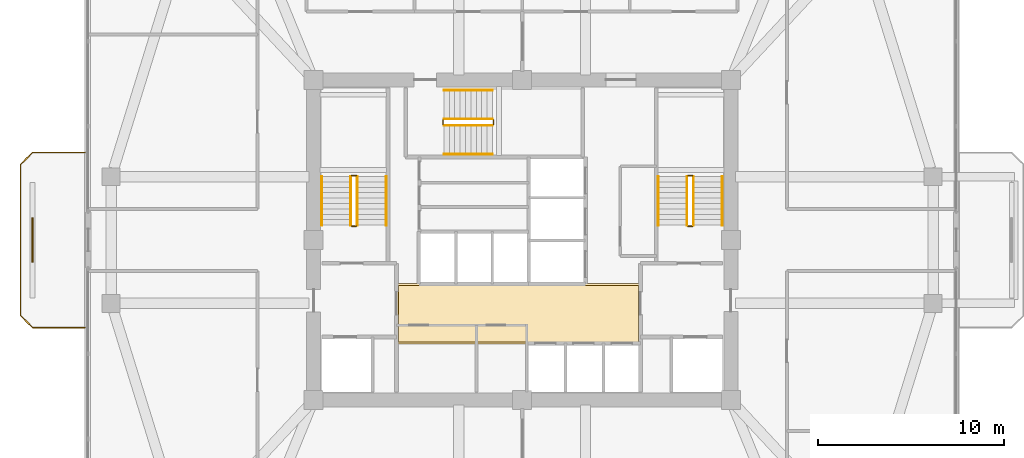
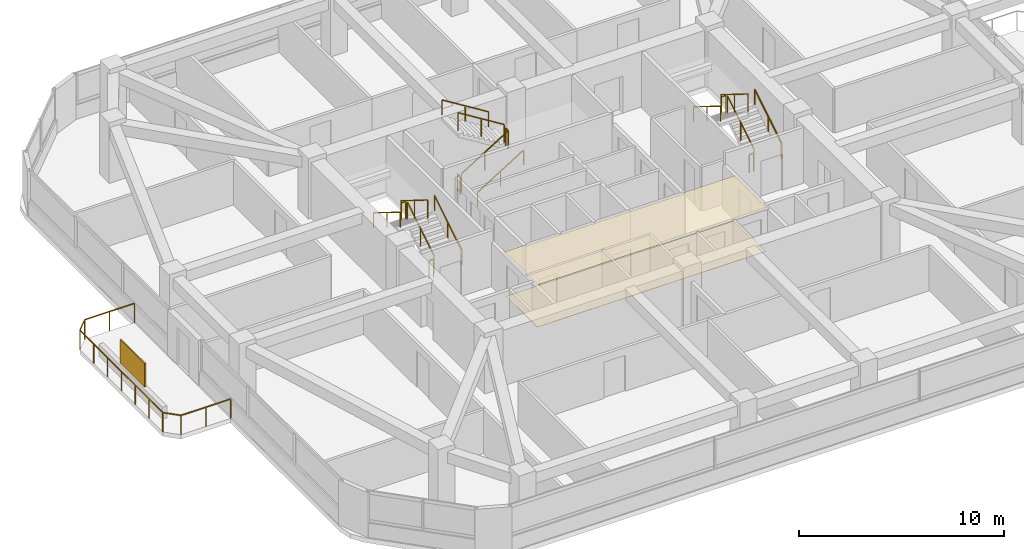
# One storey, part 11 of 12: 19 railings, 2 coverings, 1 shading device.
"""IFC4 building model written with IfcOpenShell, lengths in metres."""

from ifc_helpers import new_model, si_unit, derived_unit, direction, frame, origin, origin_2d, place, context, subcontext, project, spatial, polyline, rectangle, outline, extrude, material, layer, layer_set, type_object, element, save


model = new_model("IFC4")

# Units and contexts
model_context = context("Model", 3, precision=1e-05, world=origin(), true_north=direction((0.0, 1.0)))
body_context = subcontext(model_context, "Body", "Model", "MODEL_VIEW")
ifc_project = project(units=[si_unit("LENGTHUNIT", "METRE"), si_unit("AREAUNIT", "SQUARE_METRE"), si_unit("VOLUMEUNIT", "CUBIC_METRE"), si_unit("PLANEANGLEUNIT", "RADIAN"), si_unit("MASSUNIT", "GRAM", prefix="KILO"), derived_unit("THERMALTRANSMITTANCEUNIT", [(si_unit("POWERUNIT", "WATT"), 1), (si_unit("LENGTHUNIT", "METRE"), -2), (si_unit("THERMODYNAMICTEMPERATUREUNIT", "KELVIN"), -1)])], contexts=[model_context])

# Site, building, storey
site_placement = place(None, origin())
site = spatial("IfcSite", under=ifc_project, at=site_placement, CompositionType="ELEMENT")
building_placement = place(site_placement, origin())
building = spatial("IfcBuilding", under=site, at=building_placement, Name="Koralith Skygarden Medical Center", CompositionType="ELEMENT")
storey_placement = place(building_placement, frame((0.0, 0.0, 170.820068359375)))
storey = spatial("IfcBuildingStorey", under=building, at=storey_placement, Name="L44", CompositionType="ELEMENT", Elevation=170.820068359375)

# Covering
ifc_material_1 = material(Name="Acoustic Mineral Tile")
ifc_layer_1 = layer(ifc_material_1, 0.02001953125)
ifc_layer_set_1 = layer_set([ifc_layer_1], Name="Acoustic Mineral Tile")
covering_type_1 = type_object("IfcCoveringType", Name="Acoustic Hygienic Mineral Ceiling 20", PredefinedType="CEILING", material=ifc_layer_set_1)
covering_1_placement = place(storey_placement, frame((0.0, 0.0, 2.5849609375)))
element("IfcCovering", 1, at=covering_1_placement, inside=storey, type_object=covering_type_1, Name="L44 Core Lobby Acoustic Ceiling", PredefinedType="CEILING", context=body_context, shape_type="SweptSolid", body=[
    extrude(outline(polyline([(30.25, 20.320068359375), (43.35009765625, 20.320068359375), (43.35009765625, 23.56005859375), (30.25, 23.56005859375), (30.25, 20.320068359375)])), origin(), (0.0, 0.0, 1.0), 0.02001953125),
])

# Railing
ifc_material_2 = material(Name="Steel ASTM A500 Grade C", Category="steel")
railing_type_1 = type_object("IfcRailingType", Name="Outdoor Terrace & Balcony Safety Guardrail 1180", PredefinedType="GUARDRAIL", material=ifc_material_2)
railing_1_placement = place(storey_placement, frame((13.51611328125, 21.199951171875, 0.0)))
element("IfcRailing", 2, at=railing_1_placement, inside=storey, type_object=railing_type_1, Name="L44 W Balcony Perimeter Guardrail", PredefinedType="GUARDRAIL", context=body_context, shape_type="SweptSolid", body=[
    extrude(rectangle(XDim=0.050048828125, YDim=0.050048828125, at=origin_2d()), frame((-0.001953125, 0.0, 1.15478515625), z_axis=(-1.0, 0.0, 0.0), x_axis=(0.0, -1.0, 0.0)), (0.0, 0.0, 1.0), 2.796142578125),
    extrude(rectangle(XDim=0.050048828125, YDim=0.050048828125, at=origin_2d()), frame((-2.801513671875, 0.00146484375, 1.15478515625), z_axis=(-0.707106781187, 0.707106781187, 0.0), x_axis=(-0.707106781187, -0.707106781187, 0.0)), (0.0, 0.0, 1.0), 0.91552734375),
    extrude(rectangle(XDim=0.050048828125, YDim=0.050048828125, at=origin_2d()), frame((-3.4501953125, 0.652099609375, 1.15478515625), z_axis=(0.0, 1.0, 0.0), x_axis=(-1.0, 0.0, 0.0)), (0.0, 0.0, 1.0), 8.095947265625),
    extrude(rectangle(XDim=0.050048828125, YDim=0.050048828125, at=origin_2d()), frame((-3.44873046875, 8.75146484375, 1.15478515625), z_axis=(0.707106781187, 0.707106781187, 0.0), x_axis=(-0.707106781187, 0.707106781187, 0.0)), (0.0, 0.0, 1.0), 0.91552734375),
    extrude(rectangle(XDim=0.050048828125, YDim=0.050048828125, at=origin_2d()), frame((-2.798095703125, 9.400146484375, 1.15478515625), z_axis=(1.0, 0.0, 0.0), x_axis=(0.0, 1.0, 0.0)), (0.0, 0.0, 1.0), 2.796142578125),
    extrude(rectangle(XDim=0.0419921875, YDim=0.0419921875, at=origin_2d()), origin(), (0.0, 0.0, 1.0), 1.1279296875),
    extrude(rectangle(XDim=0.0419921875, YDim=0.0419921875, at=origin_2d()), frame((-1.39990234375, 0.0, 0.0)), (0.0, 0.0, 1.0), 1.1279296875),
    extrude(rectangle(XDim=0.0419921875, YDim=0.0419921875, at=origin_2d()), frame((-2.800048828125, 0.0, 0.0)), (0.0, 0.0, 1.0), 1.1279296875),
    extrude(rectangle(XDim=0.0419921875, YDim=0.0419921875, at=origin_2d()), frame((-3.4501953125, 0.650146484375, 0.0)), (0.0, 0.0, 1.0), 1.1279296875),
    extrude(rectangle(XDim=0.0419921875, YDim=0.0419921875, at=origin_2d()), frame((-3.4501953125, 2.0, 0.0)), (0.0, 0.0, 1.0), 1.1279296875),
    extrude(rectangle(XDim=0.0419921875, YDim=0.0419921875, at=origin_2d()), frame((-3.4501953125, 3.35009765625, 0.0)), (0.0, 0.0, 1.0), 1.1279296875),
    extrude(rectangle(XDim=0.0419921875, YDim=0.0419921875, at=origin_2d()), frame((-3.4501953125, 4.7001953125, 0.0)), (0.0, 0.0, 1.0), 1.1279296875),
    extrude(rectangle(XDim=0.0419921875, YDim=0.0419921875, at=origin_2d()), frame((-3.4501953125, 6.050048828125, 0.0)), (0.0, 0.0, 1.0), 1.1279296875),
    extrude(rectangle(XDim=0.0419921875, YDim=0.0419921875, at=origin_2d()), frame((-3.4501953125, 7.39990234375, 0.0)), (0.0, 0.0, 1.0), 1.1279296875),
    extrude(rectangle(XDim=0.0419921875, YDim=0.0419921875, at=origin_2d()), frame((-3.4501953125, 8.75, 0.0)), (0.0, 0.0, 1.0), 1.1279296875),
    extrude(rectangle(XDim=0.0419921875, YDim=0.0419921875, at=origin_2d()), frame((-2.800048828125, 9.400146484375, 0.0)), (0.0, 0.0, 1.0), 1.1279296875),
    extrude(rectangle(XDim=0.0419921875, YDim=0.0419921875, at=origin_2d()), frame((-1.39990234375, 9.400146484375, 0.0)), (0.0, 0.0, 1.0), 1.1279296875),
    extrude(rectangle(XDim=0.0419921875, YDim=0.0419921875, at=origin_2d()), frame((0.0, 9.400146484375, 0.0)), (0.0, 0.0, 1.0), 1.1279296875),
])

# Shading device
ifc_material_3 = material(Name="Aluminium 6063-T6", Category="aluminium")
ifc_layer_2 = layer(ifc_material_3, 0.080078125)
ifc_layer_set_2 = layer_set([ifc_layer_2], Name="Aluminium 6063-T6")
shading_device_type = type_object("IfcShadingDeviceType", Name="Perforated Biophilic Balcony Trellis Screen", PredefinedType="USERDEFINED", material=ifc_layer_set_2)
shading_device_placement = place(storey_placement, frame((10.716064453125, 25.89990234375, 0.719970703125), z_axis=(0.0, 0.0, 1.0), x_axis=(0.0, 1.0, 0.0)))
element("IfcShadingDevice", 3, at=shading_device_placement, inside=storey, type_object=shading_device_type, Name="L44 W Biophilic Balcony Trellis Screen", ObjectType="HURRICANE SCREEN", PredefinedType="USERDEFINED", context=body_context, shape_type="SweptSolid", body=[
    extrude(rectangle(XDim=2.39990234375, YDim=0.080078125, at=origin_2d()), origin(), (0.0, 0.0, 1.0), 1.39990234375),
])

# Covering
ifc_material_4 = material(Name="Medical Terrazzo Flooring")
ifc_layer_3 = layer(ifc_material_4, 0.014892578125)
ifc_layer_set_3 = layer_set([ifc_layer_3], Name="Medical Terrazzo Flooring")
covering_type_2 = type_object("IfcCoveringType", Name="Seamless Antimicrobial Terrazzo Flooring 15", PredefinedType="FLOORING", material=ifc_layer_set_3)
covering_2_placement = place(storey_placement, origin())
element("IfcCovering", 4, at=covering_2_placement, inside=storey, type_object=covering_type_2, Name="L44 Core Lobby Terrazzo Flooring", PredefinedType="FLOORING", context=body_context, shape_type="SweptSolid", body=[
    extrude(outline(polyline([(30.35009765625, 20.419921875), (43.25, 20.419921875), (43.25, 23.4599609375), (30.35009765625, 23.4599609375), (30.35009765625, 20.419921875)])), origin(), (0.0, 0.0, 1.0), 0.014892578125),
])

# Railings
railing_type_2 = type_object("IfcRailingType", Name="Stair Flight Tubular Handrail 920", PredefinedType="HANDRAIL", material=ifc_material_2)
railing_2_placement = place(storey_placement, frame((29.699951171875, 26.699951171875, 0.179931640625)))
element("IfcRailing", 5, at=railing_2_placement, inside=storey, type_object=railing_type_2, Name="L44 ST1 stair handrail 1", PredefinedType="HANDRAIL", context=body_context, shape_type="SweptSolid", body=[
    extrude(rectangle(XDim=0.050048828125, YDim=0.050048828125, at=origin_2d()), frame((0.0, 0.001708984375, 0.89599609375), z_axis=(0.0, 0.849632798774, 0.527374731332), x_axis=(-1.0, 0.0, 0.0)), (0.0, 0.0, 1.0), 3.068115234375),
    extrude(rectangle(XDim=0.0419921875, YDim=0.0419921875, at=origin_2d()), origin(), (0.0, 0.0, 1.0), 0.867919921875),
    extrude(rectangle(XDim=0.0419921875, YDim=0.0419921875, at=origin_2d()), frame((0.0, 1.30517578125, 0.81005859375)), (0.0, 0.0, 1.0), 0.867919921875),
    extrude(rectangle(XDim=0.0419921875, YDim=0.0419921875, at=origin_2d()), frame((0.0, 2.610107421875, 1.6201171875)), (0.0, 0.0, 1.0), 0.867919921875),
])
railing_3_placement = place(storey_placement, frame((26.25, 29.31005859375, 1.97998046875)))
element("IfcRailing", 6, at=railing_3_placement, inside=storey, type_object=railing_type_2, Name="L44 ST1 stair handrail 2", PredefinedType="HANDRAIL", context=body_context, shape_type="SweptSolid", body=[
    extrude(rectangle(XDim=0.050048828125, YDim=0.050048828125, at=origin_2d()), frame((0.0, -0.001708984375, 0.89599609375), z_axis=(0.0, -0.849668407637, 0.527317358963), x_axis=(1.0, 0.0, 0.0)), (0.0, 0.0, 1.0), 3.06787109375),
    extrude(rectangle(XDim=0.0419921875, YDim=0.0419921875, at=origin_2d()), origin(), (0.0, 0.0, 1.0), 0.867919921875),
    extrude(rectangle(XDim=0.0419921875, YDim=0.0419921875, at=origin_2d()), frame((0.0, -1.30517578125, 0.81005859375)), (0.0, 0.0, 1.0), 0.867919921875),
    extrude(rectangle(XDim=0.0419921875, YDim=0.0419921875, at=origin_2d()), frame((0.0, -2.610107421875, 1.619873046875)), (0.0, 0.0, 1.0), 0.867919921875),
])
railing_4_placement = place(storey_placement, frame((47.75, 26.699951171875, 0.179931640625)))
element("IfcRailing", 7, at=railing_4_placement, inside=storey, type_object=railing_type_2, Name="L44 ST2 stair handrail 1", PredefinedType="HANDRAIL", context=body_context, shape_type="SweptSolid", body=[
    extrude(rectangle(XDim=0.050048828125, YDim=0.050048828125, at=origin_2d()), frame((0.0, 0.001708984375, 0.89599609375), z_axis=(0.0, 0.849632798774, 0.527374731332), x_axis=(-1.0, 0.0, 0.0)), (0.0, 0.0, 1.0), 3.068115234375),
    extrude(rectangle(XDim=0.0419921875, YDim=0.0419921875, at=origin_2d()), origin(), (0.0, 0.0, 1.0), 0.867919921875),
    extrude(rectangle(XDim=0.0419921875, YDim=0.0419921875, at=origin_2d()), frame((0.0, 1.30517578125, 0.81005859375)), (0.0, 0.0, 1.0), 0.867919921875),
    extrude(rectangle(XDim=0.0419921875, YDim=0.0419921875, at=origin_2d()), frame((0.0, 2.610107421875, 1.6201171875)), (0.0, 0.0, 1.0), 0.867919921875),
])
railing_5_placement = place(storey_placement, frame((44.300048828125, 29.31005859375, 1.97998046875)))
element("IfcRailing", 8, at=railing_5_placement, inside=storey, type_object=railing_type_2, Name="L44 ST2 stair handrail 2", PredefinedType="HANDRAIL", context=body_context, shape_type="SweptSolid", body=[
    extrude(rectangle(XDim=0.050048828125, YDim=0.050048828125, at=origin_2d()), frame((0.0, -0.001708984375, 0.89599609375), z_axis=(0.0, -0.849668407637, 0.527317358963), x_axis=(1.0, 0.0, 0.0)), (0.0, 0.0, 1.0), 3.06787109375),
    extrude(rectangle(XDim=0.0419921875, YDim=0.0419921875, at=origin_2d()), origin(), (0.0, 0.0, 1.0), 0.867919921875),
    extrude(rectangle(XDim=0.0419921875, YDim=0.0419921875, at=origin_2d()), frame((0.0, -1.30517578125, 0.81005859375)), (0.0, 0.0, 1.0), 0.867919921875),
    extrude(rectangle(XDim=0.0419921875, YDim=0.0419921875, at=origin_2d()), frame((0.0, -2.610107421875, 1.619873046875)), (0.0, 0.0, 1.0), 0.867919921875),
])
railing_6_placement = place(storey_placement, frame((32.800048828125, 30.5, 0.179931640625)))
element("IfcRailing", 9, at=railing_6_placement, inside=storey, type_object=railing_type_2, Name="L44 ST3 stair handrail 1", PredefinedType="HANDRAIL", context=body_context, shape_type="SweptSolid", body=[
    extrude(rectangle(XDim=0.050048828125, YDim=0.050048828125, at=origin_2d()), frame((0.001708984375, 0.0, 0.89599609375), z_axis=(0.849610693518, 0.0, 0.52741034258), x_axis=(0.0, 1.0, 0.0)), (0.0, 0.0, 1.0), 3.06787109375),
    extrude(rectangle(XDim=0.0419921875, YDim=0.0419921875, at=origin_2d()), origin(), (0.0, 0.0, 1.0), 0.867919921875),
    extrude(rectangle(XDim=0.0419921875, YDim=0.0419921875, at=origin_2d()), frame((1.304931640625, 0.0, 0.81005859375)), (0.0, 0.0, 1.0), 0.867919921875),
    extrude(rectangle(XDim=0.0419921875, YDim=0.0419921875, at=origin_2d()), frame((2.60986328125, 0.0, 1.6201171875)), (0.0, 0.0, 1.0), 0.867919921875),
])
railing_7_placement = place(storey_placement, frame((35.409912109375, 33.949951171875, 1.97998046875)))
element("IfcRailing", 10, at=railing_7_placement, inside=storey, type_object=railing_type_2, Name="L44 ST3 stair handrail 2", PredefinedType="HANDRAIL", context=body_context, shape_type="SweptSolid", body=[
    extrude(rectangle(XDim=0.050048828125, YDim=0.050048828125, at=origin_2d()), frame((-0.001708984375, 0.0, 0.89599609375), z_axis=(-0.849646306263, 0.0, 0.527352969322), x_axis=(0.0, -1.0, 0.0)), (0.0, 0.0, 1.0), 3.067626953125),
    extrude(rectangle(XDim=0.0419921875, YDim=0.0419921875, at=origin_2d()), origin(), (0.0, 0.0, 1.0), 0.867919921875),
    extrude(rectangle(XDim=0.0419921875, YDim=0.0419921875, at=origin_2d()), frame((-1.304931640625, 0.0, 0.81005859375)), (0.0, 0.0, 1.0), 0.867919921875),
    extrude(rectangle(XDim=0.0419921875, YDim=0.0419921875, at=origin_2d()), frame((-2.60986328125, 0.0, 1.619873046875)), (0.0, 0.0, 1.0), 0.867919921875),
])
railing_type_3 = type_object("IfcRailingType", Name="Stair Well Safety Guardrail 1100", PredefinedType="GUARDRAIL", material=ifc_material_2)
railing_8_placement = place(storey_placement, frame((28.14990234375, 26.699951171875, 0.179931640625)))
element("IfcRailing", 11, at=railing_8_placement, inside=storey, type_object=railing_type_3, Name="L44 ST1 stair guard 1", PredefinedType="GUARDRAIL", context=body_context, shape_type="SweptSolid", body=[
    extrude(rectangle(XDim=0.050048828125, YDim=0.050048828125, at=origin_2d()), frame((0.0, 0.001708984375, 1.076171875), z_axis=(0.0, 0.849632798774, 0.527374731332), x_axis=(-1.0, 0.0, 0.0)), (0.0, 0.0, 1.0), 3.068115234375),
    extrude(rectangle(XDim=0.0419921875, YDim=0.0419921875, at=origin_2d()), origin(), (0.0, 0.0, 1.0), 1.048095703125),
    extrude(rectangle(XDim=0.0419921875, YDim=0.0419921875, at=origin_2d()), frame((0.0, 1.30517578125, 0.81005859375)), (0.0, 0.0, 1.0), 1.048095703125),
    extrude(rectangle(XDim=0.0419921875, YDim=0.0419921875, at=origin_2d()), frame((0.0, 2.610107421875, 1.6201171875)), (0.0, 0.0, 1.0), 1.048095703125),
])
railing_9_placement = place(storey_placement, frame((28.10009765625, 29.360107421875, 1.800048828125)))
element("IfcRailing", 12, at=railing_9_placement, inside=storey, type_object=railing_type_3, Name="L44 ST1 stair guard 2", PredefinedType="GUARDRAIL", context=body_context, shape_type="SweptSolid", body=[
    extrude(rectangle(XDim=0.050048828125, YDim=0.050048828125, at=origin_2d()), frame((-0.001953125, 0.0, 1.0751953125), z_axis=(-1.0, 0.0, 0.0), x_axis=(0.0, -1.0, 0.0)), (0.0, 0.0, 1.0), 0.24609375),
    extrude(rectangle(XDim=0.0419921875, YDim=0.0419921875, at=origin_2d()), origin(), (0.0, 0.0, 1.0), 1.048095703125),
    extrude(rectangle(XDim=0.0419921875, YDim=0.0419921875, at=origin_2d()), frame((-0.25, 0.0, 0.0)), (0.0, 0.0, 1.0), 1.048095703125),
])
railing_10_placement = place(storey_placement, frame((27.800048828125, 29.31005859375, 1.97998046875)))
element("IfcRailing", 13, at=railing_10_placement, inside=storey, type_object=railing_type_3, Name="L44 ST1 stair guard 3", PredefinedType="GUARDRAIL", context=body_context, shape_type="SweptSolid", body=[
    extrude(rectangle(XDim=0.050048828125, YDim=0.050048828125, at=origin_2d()), frame((0.0, -0.001708984375, 1.076171875), z_axis=(0.0, -0.849668407637, 0.527317358963), x_axis=(1.0, 0.0, 0.0)), (0.0, 0.0, 1.0), 3.06787109375),
    extrude(rectangle(XDim=0.0419921875, YDim=0.0419921875, at=origin_2d()), origin(), (0.0, 0.0, 1.0), 1.048095703125),
    extrude(rectangle(XDim=0.0419921875, YDim=0.0419921875, at=origin_2d()), frame((0.0, -1.30517578125, 0.81005859375)), (0.0, 0.0, 1.0), 1.048095703125),
    extrude(rectangle(XDim=0.0419921875, YDim=0.0419921875, at=origin_2d()), frame((0.0, -2.610107421875, 1.619873046875)), (0.0, 0.0, 1.0), 1.048095703125),
])
railing_11_placement = place(storey_placement, frame((28.10009765625, 26.64990234375, 0.0)))
element("IfcRailing", 14, at=railing_11_placement, inside=storey, type_object=railing_type_3, Name="L44 ST1 stair guard 4", PredefinedType="GUARDRAIL", context=body_context, shape_type="SweptSolid", body=[
    extrude(rectangle(XDim=0.050048828125, YDim=0.050048828125, at=origin_2d()), frame((-0.001953125, 0.0, 1.0751953125), z_axis=(-1.0, 0.0, 0.0), x_axis=(0.0, -1.0, 0.0)), (0.0, 0.0, 1.0), 0.24609375),
    extrude(rectangle(XDim=0.0419921875, YDim=0.0419921875, at=origin_2d()), origin(), (0.0, 0.0, 1.0), 1.048095703125),
    extrude(rectangle(XDim=0.0419921875, YDim=0.0419921875, at=origin_2d()), frame((-0.25, 0.0, 0.0)), (0.0, 0.0, 1.0), 1.048095703125),
])
railing_12_placement = place(storey_placement, frame((46.199951171875, 26.699951171875, 0.179931640625)))
element("IfcRailing", 15, at=railing_12_placement, inside=storey, type_object=railing_type_3, Name="L44 ST2 stair guard 1", PredefinedType="GUARDRAIL", context=body_context, shape_type="SweptSolid", body=[
    extrude(rectangle(XDim=0.050048828125, YDim=0.050048828125, at=origin_2d()), frame((0.0, 0.001708984375, 1.076171875), z_axis=(0.0, 0.849632798774, 0.527374731332), x_axis=(-1.0, 0.0, 0.0)), (0.0, 0.0, 1.0), 3.068115234375),
    extrude(rectangle(XDim=0.0419921875, YDim=0.0419921875, at=origin_2d()), origin(), (0.0, 0.0, 1.0), 1.048095703125),
    extrude(rectangle(XDim=0.0419921875, YDim=0.0419921875, at=origin_2d()), frame((0.0, 1.30517578125, 0.81005859375)), (0.0, 0.0, 1.0), 1.048095703125),
    extrude(rectangle(XDim=0.0419921875, YDim=0.0419921875, at=origin_2d()), frame((0.0, 2.610107421875, 1.6201171875)), (0.0, 0.0, 1.0), 1.048095703125),
])
railing_13_placement = place(storey_placement, frame((46.14990234375, 29.360107421875, 1.800048828125)))
element("IfcRailing", 16, at=railing_13_placement, inside=storey, type_object=railing_type_3, Name="L44 ST2 stair guard 2", PredefinedType="GUARDRAIL", context=body_context, shape_type="SweptSolid", body=[
    extrude(rectangle(XDim=0.050048828125, YDim=0.050048828125, at=origin_2d()), frame((-0.001953125, 0.0, 1.0751953125), z_axis=(-1.0, 0.0, 0.0), x_axis=(0.0, -1.0, 0.0)), (0.0, 0.0, 1.0), 0.24609375),
    extrude(rectangle(XDim=0.0419921875, YDim=0.0419921875, at=origin_2d()), origin(), (0.0, 0.0, 1.0), 1.048095703125),
    extrude(rectangle(XDim=0.0419921875, YDim=0.0419921875, at=origin_2d()), frame((-0.25, 0.0, 0.0)), (0.0, 0.0, 1.0), 1.048095703125),
])
railing_14_placement = place(storey_placement, frame((45.85009765625, 29.31005859375, 1.97998046875)))
element("IfcRailing", 17, at=railing_14_placement, inside=storey, type_object=railing_type_3, Name="L44 ST2 stair guard 3", PredefinedType="GUARDRAIL", context=body_context, shape_type="SweptSolid", body=[
    extrude(rectangle(XDim=0.050048828125, YDim=0.050048828125, at=origin_2d()), frame((0.0, -0.001708984375, 1.076171875), z_axis=(0.0, -0.849668407637, 0.527317358963), x_axis=(1.0, 0.0, 0.0)), (0.0, 0.0, 1.0), 3.06787109375),
    extrude(rectangle(XDim=0.0419921875, YDim=0.0419921875, at=origin_2d()), origin(), (0.0, 0.0, 1.0), 1.048095703125),
    extrude(rectangle(XDim=0.0419921875, YDim=0.0419921875, at=origin_2d()), frame((0.0, -1.30517578125, 0.81005859375)), (0.0, 0.0, 1.0), 1.048095703125),
    extrude(rectangle(XDim=0.0419921875, YDim=0.0419921875, at=origin_2d()), frame((0.0, -2.610107421875, 1.619873046875)), (0.0, 0.0, 1.0), 1.048095703125),
])
railing_15_placement = place(storey_placement, frame((46.14990234375, 26.64990234375, 0.0)))
element("IfcRailing", 18, at=railing_15_placement, inside=storey, type_object=railing_type_3, Name="L44 ST2 stair guard 4", PredefinedType="GUARDRAIL", context=body_context, shape_type="SweptSolid", body=[
    extrude(rectangle(XDim=0.050048828125, YDim=0.050048828125, at=origin_2d()), frame((-0.001953125, 0.0, 1.0751953125), z_axis=(-1.0, 0.0, 0.0), x_axis=(0.0, -1.0, 0.0)), (0.0, 0.0, 1.0), 0.24609375),
    extrude(rectangle(XDim=0.0419921875, YDim=0.0419921875, at=origin_2d()), origin(), (0.0, 0.0, 1.0), 1.048095703125),
    extrude(rectangle(XDim=0.0419921875, YDim=0.0419921875, at=origin_2d()), frame((-0.25, 0.0, 0.0)), (0.0, 0.0, 1.0), 1.048095703125),
])
railing_16_placement = place(storey_placement, frame((32.800048828125, 32.050048828125, 0.179931640625)))
element("IfcRailing", 19, at=railing_16_placement, inside=storey, type_object=railing_type_3, Name="L44 ST3 stair guard 1", PredefinedType="GUARDRAIL", context=body_context, shape_type="SweptSolid", body=[
    extrude(rectangle(XDim=0.050048828125, YDim=0.050048828125, at=origin_2d()), frame((0.001708984375, 0.0, 1.076171875), z_axis=(0.849610693518, 0.0, 0.52741034258), x_axis=(0.0, 1.0, 0.0)), (0.0, 0.0, 1.0), 3.06787109375),
    extrude(rectangle(XDim=0.0419921875, YDim=0.0419921875, at=origin_2d()), origin(), (0.0, 0.0, 1.0), 1.048095703125),
    extrude(rectangle(XDim=0.0419921875, YDim=0.0419921875, at=origin_2d()), frame((1.304931640625, 0.0, 0.81005859375)), (0.0, 0.0, 1.0), 1.048095703125),
    extrude(rectangle(XDim=0.0419921875, YDim=0.0419921875, at=origin_2d()), frame((2.60986328125, 0.0, 1.6201171875)), (0.0, 0.0, 1.0), 1.048095703125),
])
railing_17_placement = place(storey_placement, frame((35.4599609375, 32.10009765625, 1.800048828125)))
element("IfcRailing", 20, at=railing_17_placement, inside=storey, type_object=railing_type_3, Name="L44 ST3 stair guard 2", PredefinedType="GUARDRAIL", context=body_context, shape_type="SweptSolid", body=[
    extrude(rectangle(XDim=0.050048828125, YDim=0.050048828125, at=origin_2d()), frame((0.0, 0.001953125, 1.0751953125), z_axis=(0.0, 1.0, 0.0), x_axis=(-1.0, 0.0, 0.0)), (0.0, 0.0, 1.0), 0.24609375),
    extrude(rectangle(XDim=0.0419921875, YDim=0.0419921875, at=origin_2d()), origin(), (0.0, 0.0, 1.0), 1.048095703125),
    extrude(rectangle(XDim=0.0419921875, YDim=0.0419921875, at=origin_2d()), frame((0.0, 0.25, 0.0)), (0.0, 0.0, 1.0), 1.048095703125),
])
railing_18_placement = place(storey_placement, frame((35.409912109375, 32.39990234375, 1.97998046875)))
element("IfcRailing", 21, at=railing_18_placement, inside=storey, type_object=railing_type_3, Name="L44 ST3 stair guard 3", PredefinedType="GUARDRAIL", context=body_context, shape_type="SweptSolid", body=[
    extrude(rectangle(XDim=0.050048828125, YDim=0.050048828125, at=origin_2d()), frame((-0.001708984375, 0.0, 1.076171875), z_axis=(-0.849646306263, 0.0, 0.527352969322), x_axis=(0.0, -1.0, 0.0)), (0.0, 0.0, 1.0), 3.067626953125),
    extrude(rectangle(XDim=0.0419921875, YDim=0.0419921875, at=origin_2d()), origin(), (0.0, 0.0, 1.0), 1.048095703125),
    extrude(rectangle(XDim=0.0419921875, YDim=0.0419921875, at=origin_2d()), frame((-1.304931640625, 0.0, 0.81005859375)), (0.0, 0.0, 1.0), 1.048095703125),
    extrude(rectangle(XDim=0.0419921875, YDim=0.0419921875, at=origin_2d()), frame((-2.60986328125, 0.0, 1.619873046875)), (0.0, 0.0, 1.0), 1.048095703125),
])
railing_19_placement = place(storey_placement, frame((32.75, 32.10009765625, 0.0)))
element("IfcRailing", 22, at=railing_19_placement, inside=storey, type_object=railing_type_3, Name="L44 ST3 stair guard 4", PredefinedType="GUARDRAIL", context=body_context, shape_type="SweptSolid", body=[
    extrude(rectangle(XDim=0.050048828125, YDim=0.050048828125, at=origin_2d()), frame((0.0, 0.001953125, 1.0751953125), z_axis=(0.0, 1.0, 0.0), x_axis=(-1.0, 0.0, 0.0)), (0.0, 0.0, 1.0), 0.24609375),
    extrude(rectangle(XDim=0.0419921875, YDim=0.0419921875, at=origin_2d()), origin(), (0.0, 0.0, 1.0), 1.048095703125),
    extrude(rectangle(XDim=0.0419921875, YDim=0.0419921875, at=origin_2d()), frame((0.0, 0.25, 0.0)), (0.0, 0.0, 1.0), 1.048095703125),
])

save(model, "model.ifc")
